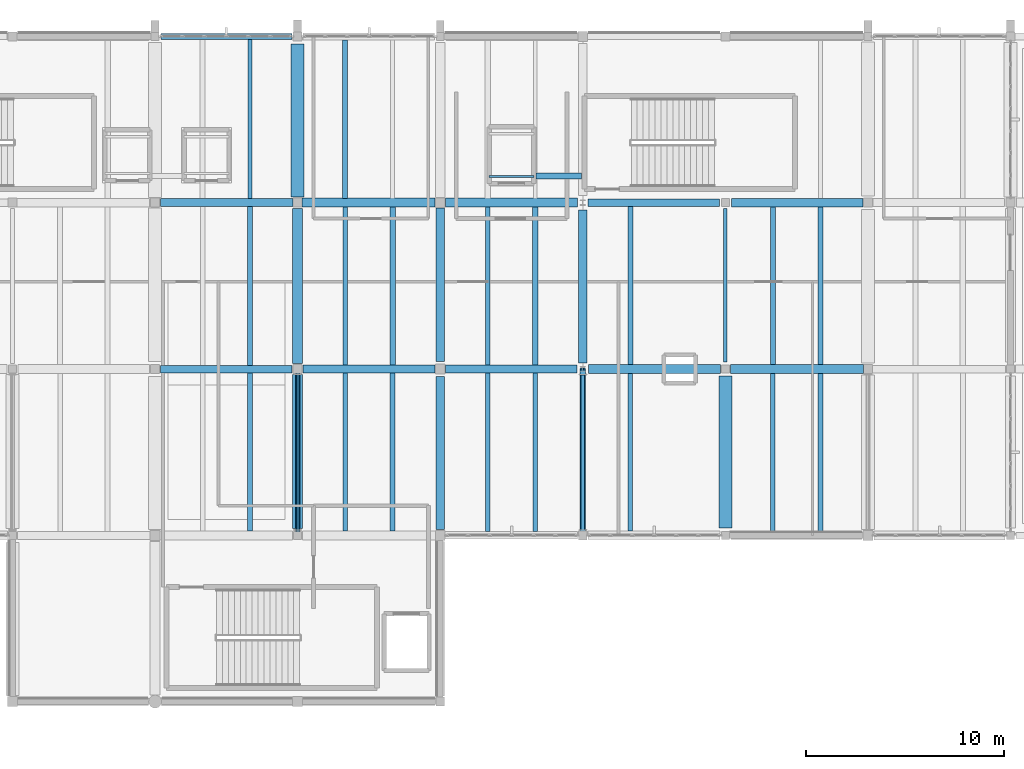
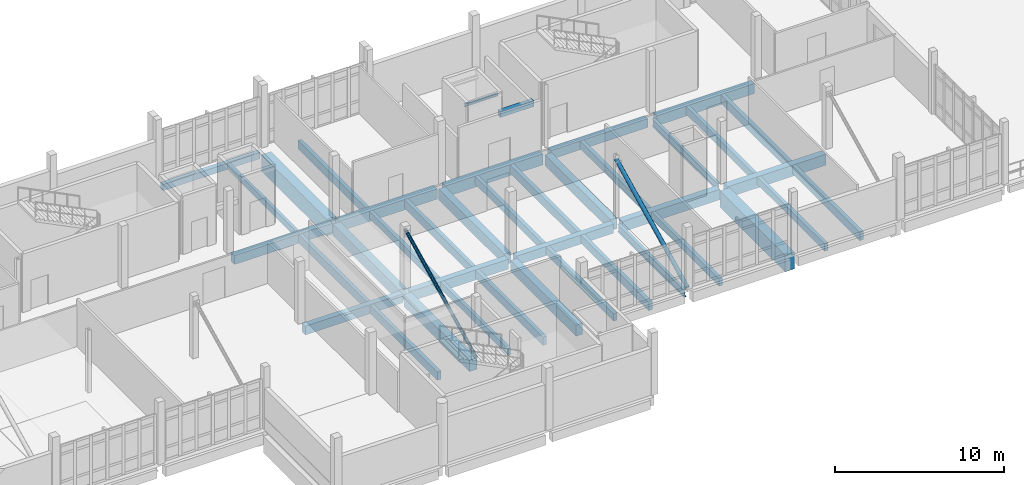
# One storey, part 13 of 34: 40 beams, 2 members.
"""IFC4 building model written with IfcOpenShell, lengths in metres."""

from ifc_helpers import new_model, si_unit, direction, frame, origin, origin_2d, place, context, subcontext, project, spatial, rectangle, hollow_circle, i_section, extrude, material, material_profile, profile_set, type_object, element, save


model = new_model("IFC4")

# Units and contexts
model_context = context("Model", 3, precision=1e-05, world=origin(), true_north=direction((0.0, 1.0)))
body_context = subcontext(model_context, "Body", "Model", "MODEL_VIEW")
ifc_project = project(units=[si_unit("LENGTHUNIT", "METRE"), si_unit("AREAUNIT", "SQUARE_METRE"), si_unit("VOLUMEUNIT", "CUBIC_METRE"), si_unit("PLANEANGLEUNIT", "RADIAN"), si_unit("MASSUNIT", "GRAM", prefix="KILO")], contexts=[model_context])

# Site, building, storey
site_placement = place(None, origin())
site = spatial("IfcSite", under=ifc_project, at=site_placement, CompositionType="ELEMENT")
building_placement = place(site_placement, origin())
building = spatial("IfcBuilding", under=site, at=building_placement, Name="Kalluvel Institute of Natural Sciences", CompositionType="ELEMENT")
storey_placement = place(building_placement, frame((0.0, 0.0, 36.89990234375)))
storey = spatial("IfcBuildingStorey", under=building, at=storey_placement, Name="L08", CompositionType="ELEMENT", Elevation=36.89990234375)

# Beams
ifc_material_1 = material(Name="Steel E350 Grade 350", Category="steel")
ifc_material_profile_1 = material_profile(ifc_material_1, i_section(OverallWidth=0.110107421875, OverallDepth=0.22509765625, WebThickness=0.006591796875, FlangeThickness=0.01171875, FilletRadius=0.011962890625, at=origin_2d()), Name="ISMB 225")
ifc_profile_set_1 = profile_set([ifc_material_profile_1], Name="Steel E350 Grade 350")
beam_type_1 = type_object("IfcBeamType", Name="BM-ISMB225", PredefinedType="BEAM", material=ifc_profile_set_1)
beam_1_placement = place(storey_placement, frame((59.669921875, 120.919921875, 3.8076171875), z_axis=(1.0, 0.0, 0.0), x_axis=(0.0, 1.0, 0.0)))
element("IfcBeam", 1, at=beam_1_placement, inside=storey, type_object=beam_type_1, Name="LF3 overrun cap support beam S", PredefinedType="BEAM", context=body_context, shape_type="SweptSolid", body=[
    extrude(i_section(OverallWidth=0.110107421875, OverallDepth=0.22509765625, WebThickness=0.006591796875, FlangeThickness=0.01171875, FilletRadius=0.011962890625, at=origin_2d()), origin(), (0.0, 0.0, 1.0), 2.260009765625),
])
ifc_material_profile_2 = material_profile(ifc_material_1, i_section(OverallWidth=0.18994140625, OverallDepth=0.550048828125, WebThickness=0.01123046875, FlangeThickness=0.019287109375, FilletRadius=0.01806640625, at=origin_2d()), Name="ISMB 550")
ifc_profile_set_2 = profile_set([ifc_material_profile_2], Name="Steel E350 Grade 350")
beam_type_2 = type_object("IfcBeamType", Name="BM-ISMB550", PredefinedType="BEAM", material=ifc_profile_set_2)
beam_2_placement = place(storey_placement, frame((64.39990234375, 103.074951171875, -0.594970703125), z_axis=(0.0, 1.0, 0.0), x_axis=(-1.0, 0.0, 0.0)))
element("IfcBeam", 2, at=beam_2_placement, inside=storey, type_object=beam_type_2, Name="L08 girder GIR-L08-NS-X644-Y1028", PredefinedType="BEAM", context=body_context, shape_type="SweptSolid", body=[
    extrude(i_section(OverallWidth=0.18994140625, OverallDepth=0.550048828125, WebThickness=0.01123046875, FlangeThickness=0.019287109375, FilletRadius=0.01806640625, at=origin_2d()), origin(), (0.0, 0.0, 1.0), 7.824951171875),
])
beam_3_placement = place(storey_placement, frame((71.60009765625, 111.550048828125, -0.594970703125), z_axis=(0.0, 1.0, 0.0), x_axis=(-1.0, 0.0, 0.0)))
element("IfcBeam", 3, at=beam_3_placement, inside=storey, type_object=beam_type_2, Name="L08 girder GIR-L08-NS-X716-Y1112", PredefinedType="BEAM", context=body_context, shape_type="SweptSolid", body=[
    extrude(i_section(OverallWidth=0.18994140625, OverallDepth=0.550048828125, WebThickness=0.01123046875, FlangeThickness=0.019287109375, FilletRadius=0.01806640625, at=origin_2d()), origin(), (0.0, 0.0, 1.0), 7.75),
])
ifc_material_2 = material(Name="Concrete M40", Category="concrete")
ifc_material_profile_3 = material_profile(ifc_material_2, rectangle(XDim=0.3798828125, YDim=0.639892578125, at=origin_2d()), Name="RCB 380x640")
ifc_profile_set_3 = profile_set([ifc_material_profile_3], Name="Concrete M40")
beam_type_3 = type_object("IfcBeamType", Name="BM-RC380x640", PredefinedType="BEAM", material=ifc_profile_set_3)
beam_4_placement = place(storey_placement, frame((43.074951171875, 111.199951171875, -0.639892578125), z_axis=(1.0, 0.0, 0.0), x_axis=(0.0, 1.0, 0.0)))
element("IfcBeam", 4, at=beam_4_placement, inside=storey, type_object=beam_type_3, Name="L08 girder GIR-L08-EW-X428-Y1112", PredefinedType="BEAM", context=body_context, shape_type="SweptSolid", body=[
    extrude(rectangle(XDim=0.3798828125, YDim=0.639892578125, at=origin_2d()), origin(), (0.0, 0.0, 1.0), 6.650146484375),
])
beam_5_placement = place(storey_placement, frame((64.675048828125, 119.60009765625, -0.639892578125), z_axis=(1.0, 0.0, 0.0), x_axis=(0.0, 1.0, 0.0)))
element("IfcBeam", 5, at=beam_5_placement, inside=storey, type_object=beam_type_3, Name="L08 girder GIR-L08-EW-X644-Y1196", PredefinedType="BEAM", context=body_context, shape_type="SweptSolid", body=[
    extrude(rectangle(XDim=0.3798828125, YDim=0.639892578125, at=origin_2d()), origin(), (0.0, 0.0, 1.0), 6.625),
])
ifc_material_profile_4 = material_profile(ifc_material_2, rectangle(XDim=0.39990234375, YDim=0.64990234375, at=origin_2d()), Name="RCB 400x650")
ifc_profile_set_4 = profile_set([ifc_material_profile_4], Name="Concrete M40")
beam_type_4 = type_object("IfcBeamType", Name="BM-RC400x650", PredefinedType="BEAM", material=ifc_profile_set_4)
beam_6_placement = place(storey_placement, frame((57.47509765625, 111.199951171875, -0.64501953125), z_axis=(1.0, 0.0, 0.0), x_axis=(0.0, 1.0, 0.0)))
element("IfcBeam", 6, at=beam_6_placement, inside=storey, type_object=beam_type_4, Name="L08 girder GIR-L08-EW-X572-Y1112", PredefinedType="BEAM", context=body_context, shape_type="SweptSolid", body=[
    extrude(rectangle(XDim=0.39990234375, YDim=0.64990234375, at=origin_2d()), origin(), (0.0, 0.0, 1.0), 6.625),
])
beam_7_placement = place(storey_placement, frame((43.074951171875, 119.60009765625, -0.64501953125), z_axis=(1.0, 0.0, 0.0), x_axis=(0.0, 1.0, 0.0)))
element("IfcBeam", 7, at=beam_7_placement, inside=storey, type_object=beam_type_4, Name="L08 girder GIR-L08-EW-X428-Y1196", PredefinedType="BEAM", context=body_context, shape_type="SweptSolid", body=[
    extrude(rectangle(XDim=0.39990234375, YDim=0.64990234375, at=origin_2d()), origin(), (0.0, 0.0, 1.0), 6.699951171875),
])
ifc_material_profile_5 = material_profile(ifc_material_2, rectangle(XDim=0.419921875, YDim=0.719970703125, at=origin_2d()), Name="RCB 420x720")
ifc_profile_set_5 = profile_set([ifc_material_profile_5], Name="Concrete M40")
beam_type_5 = type_object("IfcBeamType", Name="BM-RC420x720", PredefinedType="BEAM", material=ifc_profile_set_5)
for number, where, z_axis, x_axis, name in (
    (8, (50.27490234375, 111.199951171875, -0.679931640625), (1.0, 0.0, 0.0), (0.0, 1.0, 0.0), "L08 girder GIR-L08-EW-X500-Y1112"),
    (9, (71.89990234375, 119.60009765625, -0.679931640625), (1.0, 0.0, 0.0), (0.0, 1.0, 0.0), "L08 girder GIR-L08-EW-X716-Y1196"),
):
    element("IfcBeam", number, at=place(storey_placement, frame(where, z_axis=z_axis, x_axis=x_axis)), inside=storey, type_object=beam_type_5, Name=name, PredefinedType="BEAM", context=body_context, shape_type="SweptSolid", body=[
        extrude(rectangle(XDim=0.419921875, YDim=0.719970703125, at=origin_2d()), origin(), (0.0, 0.0, 1.0), 6.650146484375),
    ])
ifc_material_profile_6 = material_profile(ifc_material_2, rectangle(XDim=0.449951171875, YDim=0.75, at=origin_2d()), Name="RCB 450x750")
ifc_profile_set_6 = profile_set([ifc_material_profile_6], Name="Concrete M40")
beam_type_6 = type_object("IfcBeamType", Name="BM-RC450x750", PredefinedType="BEAM", material=ifc_profile_set_6)
beam_8_placement = place(storey_placement, frame((64.699951171875, 111.199951171875, -0.69482421875), z_axis=(1.0, 0.0, 0.0), x_axis=(0.0, 1.0, 0.0)))
element("IfcBeam", 10, at=beam_8_placement, inside=storey, type_object=beam_type_6, Name="L08 girder GIR-L08-EW-X644-Y1112", PredefinedType="BEAM", context=body_context, shape_type="SweptSolid", body=[
    extrude(rectangle(XDim=0.449951171875, YDim=0.75, at=origin_2d()), origin(), (0.0, 0.0, 1.0), 6.650146484375),
])
beam_9_placement = place(storey_placement, frame((50.22509765625, 119.60009765625, -0.69482421875), z_axis=(1.0, 0.0, 0.0), x_axis=(0.0, 1.0, 0.0)))
element("IfcBeam", 11, at=beam_9_placement, inside=storey, type_object=beam_type_6, Name="L08 girder GIR-L08-EW-X500-Y1196", PredefinedType="BEAM", context=body_context, shape_type="SweptSolid", body=[
    extrude(rectangle(XDim=0.449951171875, YDim=0.75, at=origin_2d()), origin(), (0.0, 0.0, 1.0), 6.699951171875),
])
ifc_material_profile_7 = material_profile(ifc_material_2, rectangle(XDim=0.449951171875, YDim=0.800048828125, at=origin_2d()), Name="RCB 450x800")
ifc_profile_set_7 = profile_set([ifc_material_profile_7], Name="Concrete M40")
beam_type_7 = type_object("IfcBeamType", Name="BM-RC450x800", PredefinedType="BEAM", material=ifc_profile_set_7)
beam_10_placement = place(storey_placement, frame((71.85009765625, 111.199951171875, -0.719970703125), z_axis=(1.0, 0.0, 0.0), x_axis=(0.0, 1.0, 0.0)))
element("IfcBeam", 12, at=beam_10_placement, inside=storey, type_object=beam_type_7, Name="L08 girder GIR-L08-EW-X716-Y1112", PredefinedType="BEAM", context=body_context, shape_type="SweptSolid", body=[
    extrude(rectangle(XDim=0.449951171875, YDim=0.800048828125, at=origin_2d()), origin(), (0.0, 0.0, 1.0), 6.724853515625),
])
beam_11_placement = place(storey_placement, frame((57.47509765625, 119.60009765625, -0.719970703125), z_axis=(1.0, 0.0, 0.0), x_axis=(0.0, 1.0, 0.0)))
element("IfcBeam", 13, at=beam_11_placement, inside=storey, type_object=beam_type_7, Name="L08 girder GIR-L08-EW-X572-Y1196", PredefinedType="BEAM", context=body_context, shape_type="SweptSolid", body=[
    extrude(rectangle(XDim=0.449951171875, YDim=0.800048828125, at=origin_2d()), origin(), (0.0, 0.0, 1.0), 6.64990234375),
])
beam_12_placement = place(storey_placement, frame((57.199951171875, 103.10009765625, -0.719970703125), z_axis=(0.0, 1.0, 0.0), x_axis=(-1.0, 0.0, 0.0)))
element("IfcBeam", 14, at=beam_12_placement, inside=storey, type_object=beam_type_7, Name="L08 girder GIR-L08-NS-X572-Y1028", PredefinedType="BEAM", context=body_context, shape_type="SweptSolid", body=[
    extrude(rectangle(XDim=0.449951171875, YDim=0.800048828125, at=origin_2d()), origin(), (0.0, 0.0, 1.0), 7.724853515625),
])
beam_13_placement = place(storey_placement, frame((57.199951171875, 111.574951171875, -0.719970703125), z_axis=(0.0, 1.0, 0.0), x_axis=(-1.0, 0.0, 0.0)))
element("IfcBeam", 15, at=beam_13_placement, inside=storey, type_object=beam_type_7, Name="L08 girder GIR-L08-NS-X572-Y1112", PredefinedType="BEAM", context=body_context, shape_type="SweptSolid", body=[
    extrude(rectangle(XDim=0.449951171875, YDim=0.800048828125, at=origin_2d()), origin(), (0.0, 0.0, 1.0), 7.75),
])
beam_14_placement = place(storey_placement, frame((64.39990234375, 111.5, -0.719970703125), z_axis=(0.0, 1.0, 0.0), x_axis=(-1.0, 0.0, 0.0)))
element("IfcBeam", 16, at=beam_14_placement, inside=storey, type_object=beam_type_7, Name="L08 girder GIR-L08-NS-X644-Y1112", PredefinedType="BEAM", context=body_context, shape_type="SweptSolid", body=[
    extrude(rectangle(XDim=0.449951171875, YDim=0.800048828125, at=origin_2d()), origin(), (0.0, 0.0, 1.0), 7.72509765625),
])
ifc_material_3 = material(Name="Concrete M50", Category="concrete")
ifc_material_profile_8 = material_profile(ifc_material_3, rectangle(XDim=0.5, YDim=0.85009765625, at=origin_2d()), Name="RCB 500x850")
ifc_profile_set_8 = profile_set([ifc_material_profile_8], Name="Concrete M50")
beam_type_8 = type_object("IfcBeamType", Name="BM-RC500x850", PredefinedType="BEAM", material=ifc_profile_set_8)
beam_15_placement = place(storey_placement, frame((50.0, 103.14990234375, -0.744873046875), z_axis=(0.0, 1.0, 0.0), x_axis=(-1.0, 0.0, 0.0)))
element("IfcBeam", 17, at=beam_15_placement, inside=storey, type_object=beam_type_8, Name="L08 girder GIR-L08-NS-X500-Y1028", PredefinedType="BEAM", context=body_context, shape_type="SweptSolid", body=[
    extrude(rectangle(XDim=0.5, YDim=0.85009765625, at=origin_2d()), origin(), (0.0, 0.0, 1.0), 7.775146484375),
])
beam_16_placement = place(storey_placement, frame((50.0, 111.47509765625, -0.744873046875), z_axis=(0.0, 1.0, 0.0), x_axis=(-1.0, 0.0, 0.0)))
element("IfcBeam", 18, at=beam_16_placement, inside=storey, type_object=beam_type_8, Name="L08 girder GIR-L08-NS-X500-Y1112", PredefinedType="BEAM", context=body_context, shape_type="SweptSolid", body=[
    extrude(rectangle(XDim=0.5, YDim=0.85009765625, at=origin_2d()), origin(), (0.0, 0.0, 1.0), 7.824951171875),
])
ifc_material_profile_9 = material_profile(ifc_material_3, rectangle(XDim=0.64990234375, YDim=1.199951171875, at=origin_2d()), Name="RCB 650x1200")
ifc_profile_set_9 = profile_set([ifc_material_profile_9], Name="Concrete M50")
beam_type_9 = type_object("IfcBeamType", Name="BM-RC650x1200", PredefinedType="BEAM", material=ifc_profile_set_9)
beam_17_placement = place(storey_placement, frame((50.0, 119.89990234375, -0.919921875), z_axis=(0.0, 1.0, 0.0), x_axis=(-1.0, 0.0, 0.0)))
element("IfcBeam", 19, at=beam_17_placement, inside=storey, type_object=beam_type_9, Name="L08 girder GIR-L08-NS-X500-Y1196", PredefinedType="BEAM", context=body_context, shape_type="SweptSolid", body=[
    extrude(rectangle(XDim=0.64990234375, YDim=1.199951171875, at=origin_2d()), origin(), (0.0, 0.0, 1.0), 7.72509765625),
])
beam_18_placement = place(storey_placement, frame((71.60009765625, 103.175048828125, -0.919921875), z_axis=(0.0, 1.0, 0.0), x_axis=(-1.0, 0.0, 0.0)))
element("IfcBeam", 20, at=beam_18_placement, inside=storey, type_object=beam_type_9, Name="L08 girder GIR-L08-NS-X716-Y1028", PredefinedType="BEAM", context=body_context, shape_type="SweptSolid", body=[
    extrude(rectangle(XDim=0.64990234375, YDim=1.199951171875, at=origin_2d()), origin(), (0.0, 0.0, 1.0), 7.675048828125),
])
ifc_material_4 = material(Name="Sadarahalli Granite Precast Concrete M45", Category="masonry")
ifc_material_profile_10 = material_profile(ifc_material_4, rectangle(XDim=0.300048828125, YDim=0.39990234375, at=origin_2d()), Name="LIN 300x400")
ifc_profile_set_10 = profile_set([ifc_material_profile_10], Name="Sadarahalli Granite Precast Concrete M45")
beam_type_10 = type_object("IfcBeamType", Name="LN-300x400-EXT", PredefinedType="LINTEL", material=ifc_profile_set_10)
beam_19_placement = place(storey_placement, frame((62.0400390625, 120.949951171875, 2.35009765625), z_axis=(1.0, 0.0, 0.0), x_axis=(0.0, 1.0, 0.0)))
element("IfcBeam", 21, at=beam_19_placement, inside=storey, type_object=beam_type_10, Name="L08 core coupling lintel B", PredefinedType="LINTEL", context=body_context, shape_type="SweptSolid", body=[
    extrude(rectangle(XDim=0.300048828125, YDim=0.39990234375, at=origin_2d()), origin(), (0.0, 0.0, 1.0), 2.2900390625),
])

# Members
ifc_material_profile_11 = material_profile(ifc_material_1, hollow_circle(Radius=0.109619140625, WallThickness=0.012451171875, at=origin_2d()), Name="CHS 219.1x12.5")
ifc_profile_set_11 = profile_set([ifc_material_profile_11], Name="Steel E350 Grade 350")
member_type_1 = type_object("IfcMemberType", Name="MB-ST-CHS219", PredefinedType="STRUT", material=ifc_profile_set_11)
member_1_placement = place(storey_placement, frame((50.0, 102.800048828125, 0.0), z_axis=(0.0, 0.896543394675, 0.44295591368), x_axis=(-1.0, 0.0, 0.0)))
element("IfcMember", 22, at=member_1_placement, inside=storey, type_object=member_type_1, Name="Crown lateral brace strut 3", PredefinedType="STRUT", context=body_context, shape_type="SweptSolid", body=[
    extrude(hollow_circle(Radius=0.109619140625, WallThickness=0.012451171875, at=origin_2d()), origin(), (0.0, 0.0, 1.0), 9.369140625),
])
ifc_material_profile_12 = material_profile(ifc_material_1, hollow_circle(Radius=0.136474609375, WallThickness=0.012451171875, at=origin_2d()), Name="CHS 273.0x12.5")
ifc_profile_set_12 = profile_set([ifc_material_profile_12], Name="Steel E350 Grade 350")
member_type_2 = type_object("IfcMemberType", Name="MB-ST-CHS273", PredefinedType="STRUT", material=ifc_profile_set_12)
member_2_placement = place(storey_placement, frame((64.39990234375, 102.800048828125, 0.0), z_axis=(0.0, 0.896543394675, 0.44295591368), x_axis=(-1.0, 0.0, 0.0)))
element("IfcMember", 23, at=member_2_placement, inside=storey, type_object=member_type_2, Name="Crown lateral brace strut 4", PredefinedType="STRUT", context=body_context, shape_type="SweptSolid", body=[
    extrude(hollow_circle(Radius=0.136474609375, WallThickness=0.012451171875, at=origin_2d()), origin(), (0.0, 0.0, 1.0), 9.369140625),
])

# Beams
ifc_material_profile_13 = material_profile(ifc_material_2, rectangle(XDim=0.300048828125, YDim=0.449951171875, at=origin_2d()), Name="RCB 300x450")
ifc_profile_set_13 = profile_set([ifc_material_profile_13], Name="Concrete M40")
beam_type_11 = type_object("IfcBeamType", Name="SP-RC300x450", PredefinedType="SPANDREL", material=ifc_profile_set_13)
beam_20_placement = place(storey_placement, frame((43.10009765625, 128.0, -0.544921875), z_axis=(1.0, 0.0, 0.0), x_axis=(0.0, 1.0, 0.0)))
element("IfcBeam", 24, at=beam_20_placement, inside=storey, type_object=beam_type_11, Name="L08 girder GIR-L08-EW-X428-Y1280", PredefinedType="SPANDREL", context=body_context, shape_type="SweptSolid", body=[
    extrude(rectangle(XDim=0.300048828125, YDim=0.449951171875, at=origin_2d()), origin(), (0.0, 0.0, 1.0), 6.625),
])
ifc_material_profile_14 = material_profile(ifc_material_2, rectangle(XDim=0.199951171875, YDim=0.4599609375, at=origin_2d()), Name="WAF 200x460")
ifc_profile_set_14 = profile_set([ifc_material_profile_14], Name="Concrete M40")
beam_type_12 = type_object("IfcBeamType", Name="WJ-200x460", PredefinedType="JOIST", material=ifc_profile_set_14)
beam_21_placement = place(storey_placement, frame((47.60009765625, 119.800048828125, -0.5498046875), z_axis=(0.0, 1.0, 0.0), x_axis=(-1.0, 0.0, 0.0)))
element("IfcBeam", 25, at=beam_21_placement, inside=storey, type_object=beam_type_12, Name="L08 waffle joist RIB-L08-0600", PredefinedType="JOIST", context=body_context, shape_type="SweptSolid", body=[
    extrude(rectangle(XDim=0.199951171875, YDim=0.4599609375, at=origin_2d()), origin(), (0.0, 0.0, 1.0), 8.050048828125),
])
ifc_material_profile_15 = material_profile(ifc_material_2, rectangle(XDim=0.219970703125, YDim=0.5, at=origin_2d()), Name="WAF 220x500")
ifc_profile_set_15 = profile_set([ifc_material_profile_15], Name="Concrete M40")
beam_type_13 = type_object("IfcBeamType", Name="WJ-220x500", PredefinedType="JOIST", material=ifc_profile_set_15)
beam_22_placement = place(storey_placement, frame((52.39990234375, 103.02490234375, -0.56982421875), z_axis=(0.0, 1.0, 0.0), x_axis=(-1.0, 0.0, 0.0)))
element("IfcBeam", 26, at=beam_22_placement, inside=storey, type_object=beam_type_13, Name="L08 waffle joist RIB-L08-0601", PredefinedType="JOIST", context=body_context, shape_type="SweptSolid", body=[
    extrude(rectangle(XDim=0.219970703125, YDim=0.5, at=origin_2d()), origin(), (0.0, 0.0, 1.0), 7.965087890625),
])
ifc_material_profile_16 = material_profile(ifc_material_2, rectangle(XDim=0.239990234375, YDim=0.52001953125, at=origin_2d()), Name="WAF 240x520")
ifc_profile_set_16 = profile_set([ifc_material_profile_16], Name="Concrete M40")
beam_type_14 = type_object("IfcBeamType", Name="WJ-240x520", PredefinedType="JOIST", material=ifc_profile_set_16)
beam_23_placement = place(storey_placement, frame((52.39990234375, 111.409912109375, -0.579833984375), z_axis=(0.0, 1.0, 0.0), x_axis=(-1.0, 0.0, 0.0)))
element("IfcBeam", 27, at=beam_23_placement, inside=storey, type_object=beam_type_14, Name="L08 waffle joist RIB-L08-0603", PredefinedType="JOIST", context=body_context, shape_type="SweptSolid", body=[
    extrude(rectangle(XDim=0.239990234375, YDim=0.52001953125, at=origin_2d()), origin(), (0.0, 0.0, 1.0), 7.965087890625),
])
beam_24_placement = place(storey_placement, frame((59.60009765625, 102.989990234375, -0.579833984375), z_axis=(0.0, 1.0, 0.0), x_axis=(-1.0, 0.0, 0.0)))
element("IfcBeam", 28, at=beam_24_placement, inside=storey, type_object=beam_type_14, Name="L08 waffle joist RIB-L08-0607", PredefinedType="JOIST", context=body_context, shape_type="SweptSolid", body=[
    extrude(rectangle(XDim=0.239990234375, YDim=0.52001953125, at=origin_2d()), origin(), (0.0, 0.0, 1.0), 8.010009765625),
])
beam_25_placement = place(storey_placement, frame((66.800048828125, 103.010009765625, -0.579833984375), z_axis=(0.0, 1.0, 0.0), x_axis=(-1.0, 0.0, 0.0)))
element("IfcBeam", 29, at=beam_25_placement, inside=storey, type_object=beam_type_14, Name="L08 waffle joist RIB-L08-0613", PredefinedType="JOIST", context=body_context, shape_type="SweptSolid", body=[
    extrude(rectangle(XDim=0.239990234375, YDim=0.52001953125, at=origin_2d()), origin(), (0.0, 0.0, 1.0), 7.965087890625),
])
beam_26_placement = place(storey_placement, frame((74.0, 103.0, -0.579833984375), z_axis=(0.0, 1.0, 0.0), x_axis=(-1.0, 0.0, 0.0)))
element("IfcBeam", 30, at=beam_26_placement, inside=storey, type_object=beam_type_14, Name="L08 waffle joist RIB-L08-0615", PredefinedType="JOIST", context=body_context, shape_type="SweptSolid", body=[
    extrude(rectangle(XDim=0.239990234375, YDim=0.52001953125, at=origin_2d()), origin(), (0.0, 0.0, 1.0), 7.97509765625),
])
ifc_material_profile_17 = material_profile(ifc_material_2, rectangle(XDim=0.25, YDim=0.550048828125, at=origin_2d()), Name="WAF 250x550")
ifc_profile_set_17 = profile_set([ifc_material_profile_17], Name="Concrete M40")
beam_type_15 = type_object("IfcBeamType", Name="WJ-250x550", PredefinedType="JOIST", material=ifc_profile_set_17)
beam_27_placement = place(storey_placement, frame((59.60009765625, 111.39990234375, -0.594970703125), z_axis=(0.0, 1.0, 0.0), x_axis=(-1.0, 0.0, 0.0)))
element("IfcBeam", 31, at=beam_27_placement, inside=storey, type_object=beam_type_15, Name="L08 waffle joist RIB-L08-0609", PredefinedType="JOIST", context=body_context, shape_type="SweptSolid", body=[
    extrude(rectangle(XDim=0.25, YDim=0.550048828125, at=origin_2d()), origin(), (0.0, 0.0, 1.0), 7.97509765625),
])
beam_28_placement = place(storey_placement, frame((66.800048828125, 111.425048828125, -0.594970703125), z_axis=(0.0, 1.0, 0.0), x_axis=(-1.0, 0.0, 0.0)))
element("IfcBeam", 32, at=beam_28_placement, inside=storey, type_object=beam_type_15, Name="L08 waffle joist RIB-L08-0614", PredefinedType="JOIST", context=body_context, shape_type="SweptSolid", body=[
    extrude(rectangle(XDim=0.25, YDim=0.550048828125, at=origin_2d()), origin(), (0.0, 0.0, 1.0), 7.98486328125),
])
beam_29_placement = place(storey_placement, frame((74.0, 111.425048828125, -0.594970703125), z_axis=(0.0, 1.0, 0.0), x_axis=(-1.0, 0.0, 0.0)))
element("IfcBeam", 33, at=beam_29_placement, inside=storey, type_object=beam_type_15, Name="L08 waffle joist RIB-L08-0617", PredefinedType="JOIST", context=body_context, shape_type="SweptSolid", body=[
    extrude(rectangle(XDim=0.25, YDim=0.550048828125, at=origin_2d()), origin(), (0.0, 0.0, 1.0), 7.96484375),
])
ifc_material_profile_18 = material_profile(ifc_material_2, rectangle(XDim=0.25, YDim=0.60009765625, at=origin_2d()), Name="WAF 250x600")
ifc_profile_set_18 = profile_set([ifc_material_profile_18], Name="Concrete M40")
beam_type_16 = type_object("IfcBeamType", Name="WJ-250x600", PredefinedType="JOIST", material=ifc_profile_set_18)
beam_30_placement = place(storey_placement, frame((47.60009765625, 103.02490234375, -0.619873046875), z_axis=(0.0, 1.0, 0.0), x_axis=(-1.0, 0.0, 0.0)))
element("IfcBeam", 34, at=beam_30_placement, inside=storey, type_object=beam_type_16, Name="L08 waffle joist RIB-L08-0596", PredefinedType="JOIST", context=body_context, shape_type="SweptSolid", body=[
    extrude(rectangle(XDim=0.25, YDim=0.60009765625, at=origin_2d()), origin(), (0.0, 0.0, 1.0), 7.985107421875),
])
beam_31_placement = place(storey_placement, frame((54.800048828125, 103.02490234375, -0.619873046875), z_axis=(0.0, 1.0, 0.0), x_axis=(-1.0, 0.0, 0.0)))
element("IfcBeam", 35, at=beam_31_placement, inside=storey, type_object=beam_type_16, Name="L08 waffle joist RIB-L08-0602", PredefinedType="JOIST", context=body_context, shape_type="SweptSolid", body=[
    extrude(rectangle(XDim=0.25, YDim=0.60009765625, at=origin_2d()), origin(), (0.0, 0.0, 1.0), 7.965087890625),
])
beam_32_placement = place(storey_placement, frame((52.39990234375, 119.824951171875, -0.619873046875), z_axis=(0.0, 1.0, 0.0), x_axis=(-1.0, 0.0, 0.0)))
element("IfcBeam", 36, at=beam_32_placement, inside=storey, type_object=beam_type_16, Name="L08 waffle joist RIB-L08-0605", PredefinedType="JOIST", context=body_context, shape_type="SweptSolid", body=[
    extrude(rectangle(XDim=0.25, YDim=0.60009765625, at=origin_2d()), origin(), (0.0, 0.0, 1.0), 8.0),
])
beam_33_placement = place(storey_placement, frame((62.0, 102.989990234375, -0.619873046875), z_axis=(0.0, 1.0, 0.0), x_axis=(-1.0, 0.0, 0.0)))
element("IfcBeam", 37, at=beam_33_placement, inside=storey, type_object=beam_type_16, Name="L08 waffle joist RIB-L08-0608", PredefinedType="JOIST", context=body_context, shape_type="SweptSolid", body=[
    extrude(rectangle(XDim=0.25, YDim=0.60009765625, at=origin_2d()), origin(), (0.0, 0.0, 1.0), 8.010009765625),
])
beam_34_placement = place(storey_placement, frame((76.39990234375, 103.0, -0.619873046875), z_axis=(0.0, 1.0, 0.0), x_axis=(-1.0, 0.0, 0.0)))
element("IfcBeam", 38, at=beam_34_placement, inside=storey, type_object=beam_type_16, Name="L08 waffle joist RIB-L08-0616", PredefinedType="JOIST", context=body_context, shape_type="SweptSolid", body=[
    extrude(rectangle(XDim=0.25, YDim=0.60009765625, at=origin_2d()), origin(), (0.0, 0.0, 1.0), 7.97509765625),
])
ifc_material_profile_19 = material_profile(ifc_material_3, rectangle(XDim=0.260009765625, YDim=0.6201171875, at=origin_2d()), Name="WAF 260x620")
ifc_profile_set_19 = profile_set([ifc_material_profile_19], Name="Concrete M50")
beam_type_17 = type_object("IfcBeamType", Name="WJ-260x620", PredefinedType="JOIST", material=ifc_profile_set_19)
beam_35_placement = place(storey_placement, frame((47.60009765625, 111.389892578125, -0.6298828125), z_axis=(0.0, 1.0, 0.0), x_axis=(-1.0, 0.0, 0.0)))
element("IfcBeam", 39, at=beam_35_placement, inside=storey, type_object=beam_type_17, Name="L08 waffle joist RIB-L08-0598", PredefinedType="JOIST", context=body_context, shape_type="SweptSolid", body=[
    extrude(rectangle(XDim=0.260009765625, YDim=0.6201171875, at=origin_2d()), origin(), (0.0, 0.0, 1.0), 8.010009765625),
])
beam_36_placement = place(storey_placement, frame((54.800048828125, 111.409912109375, -0.6298828125), z_axis=(0.0, 1.0, 0.0), x_axis=(-1.0, 0.0, 0.0)))
element("IfcBeam", 40, at=beam_36_placement, inside=storey, type_object=beam_type_17, Name="L08 waffle joist RIB-L08-0604", PredefinedType="JOIST", context=body_context, shape_type="SweptSolid", body=[
    extrude(rectangle(XDim=0.260009765625, YDim=0.6201171875, at=origin_2d()), origin(), (0.0, 0.0, 1.0), 7.965087890625),
])
beam_37_placement = place(storey_placement, frame((62.0, 111.39990234375, -0.6298828125), z_axis=(0.0, 1.0, 0.0), x_axis=(-1.0, 0.0, 0.0)))
element("IfcBeam", 41, at=beam_37_placement, inside=storey, type_object=beam_type_17, Name="L08 waffle joist RIB-L08-0610", PredefinedType="JOIST", context=body_context, shape_type="SweptSolid", body=[
    extrude(rectangle(XDim=0.260009765625, YDim=0.6201171875, at=origin_2d()), origin(), (0.0, 0.0, 1.0), 7.97509765625),
])
beam_38_placement = place(storey_placement, frame((76.39990234375, 111.425048828125, -0.6298828125), z_axis=(0.0, 1.0, 0.0), x_axis=(-1.0, 0.0, 0.0)))
element("IfcBeam", 42, at=beam_38_placement, inside=storey, type_object=beam_type_17, Name="L08 waffle joist RIB-L08-0618", PredefinedType="JOIST", context=body_context, shape_type="SweptSolid", body=[
    extrude(rectangle(XDim=0.260009765625, YDim=0.6201171875, at=origin_2d()), origin(), (0.0, 0.0, 1.0), 7.96484375),
])

save(model, "model.ifc")
